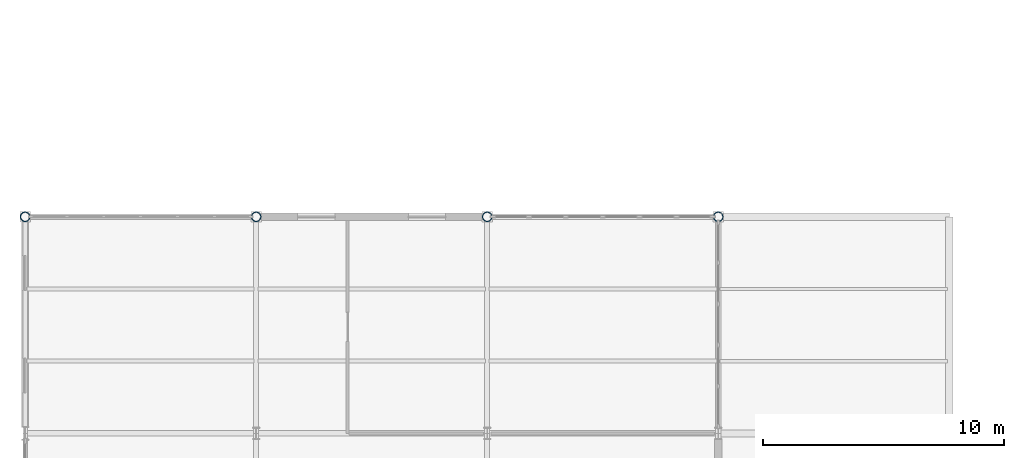
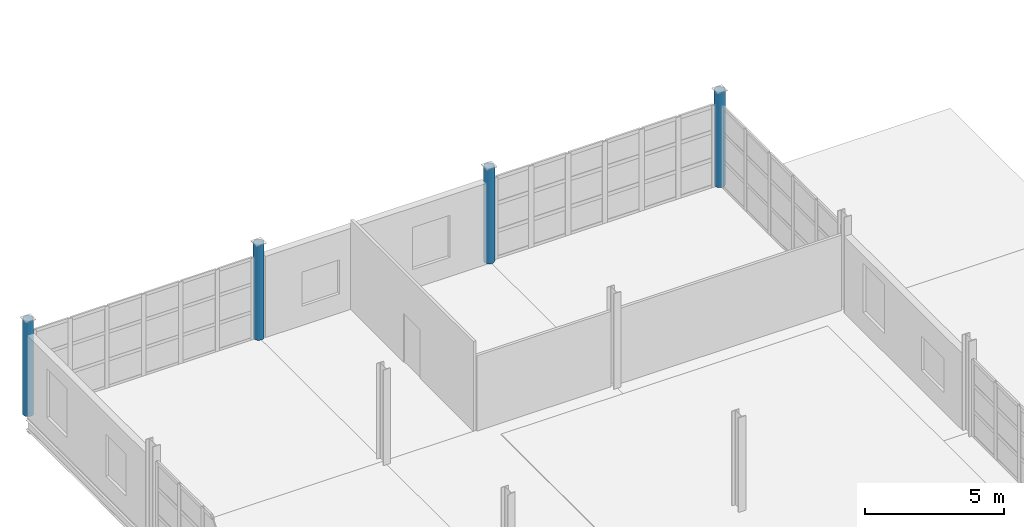
# One storey, part 7 of 82: 4 columns.
"""IFC4 building model written with IfcOpenShell, lengths in metres."""

from ifc_helpers import new_model, si_unit, direction, frame, origin, origin_2d, place, context, subcontext, project, spatial, hollow_circle, extrude, material, material_profile, profile_set, type_object, element, save


model = new_model("IFC4")

# Units and contexts
model_context = context("Model", 3, precision=1e-05, world=origin(), true_north=direction((0.0, 1.0)))
body_context = subcontext(model_context, "Body", "Model", "MODEL_VIEW")
ifc_project = project(units=[si_unit("LENGTHUNIT", "METRE"), si_unit("AREAUNIT", "SQUARE_METRE"), si_unit("VOLUMEUNIT", "CUBIC_METRE"), si_unit("PLANEANGLEUNIT", "RADIAN"), si_unit("MASSUNIT", "GRAM", prefix="KILO")], contexts=[model_context])

# Site, building, storey
site_placement = place(None, origin())
site = spatial("IfcSite", under=ifc_project, at=site_placement, CompositionType="ELEMENT")
building_placement = place(site_placement, origin())
building = spatial("IfcBuilding", under=site, at=building_placement, Name="Zarnetskaya Central Station", CompositionType="ELEMENT")
storey_placement = place(building_placement, frame((0.0, 0.0, 10.199951171875)))
storey = spatial("IfcBuildingStorey", under=building, at=storey_placement, Name="L02", CompositionType="ELEMENT", Elevation=10.199951171875)

# Columns
ifc_material = material(Name="Steel S355", Category="steel")
ifc_material_profile = material_profile(ifc_material, hollow_circle(Radius=0.203125, WallThickness=0.02001953125, at=origin_2d()), Name="CHS 406.4x20")
ifc_profile_set = profile_set([ifc_material_profile], Name="Steel S355")
column_type = type_object("IfcColumnType", Name="COL-V1-PCAN", PredefinedType="COLUMN", material=ifc_profile_set)
for number, where, z_axis, x_axis, name in (
    (1, (0.0, 67.199951171875, 0.0), (0.0, 0.0, 1.0), (1.0, 0.0, 0.0), "Column A9 L02"),
    (2, (9.60009765625, 67.199951171875, 0.0), (0.0, 0.0, 1.0), (1.0, 0.0, 0.0), "Column B9 L02"),
    (3, (19.199951171875, 67.199951171875, 0.0), (0.0, 0.0, 1.0), (1.0, 0.0, 0.0), "Column C9 L02"),
    (4, (28.800048828125, 67.199951171875, 0.0), (0.0, 0.0, 1.0), (1.0, 0.0, 0.0), "Column D9 L02"),
):
    element("IfcColumn", number, at=place(storey_placement, frame(where, z_axis=z_axis, x_axis=x_axis)), inside=storey, type_object=column_type, Name=name, PredefinedType="COLUMN", context=body_context, shape_type="SweptSolid", body=[
        extrude(hollow_circle(Radius=0.203125, WallThickness=0.02001953125, at=origin_2d()), origin(), (0.0, 0.0, 1.0), 4.18798828125),
    ])

save(model, "model.ifc")
